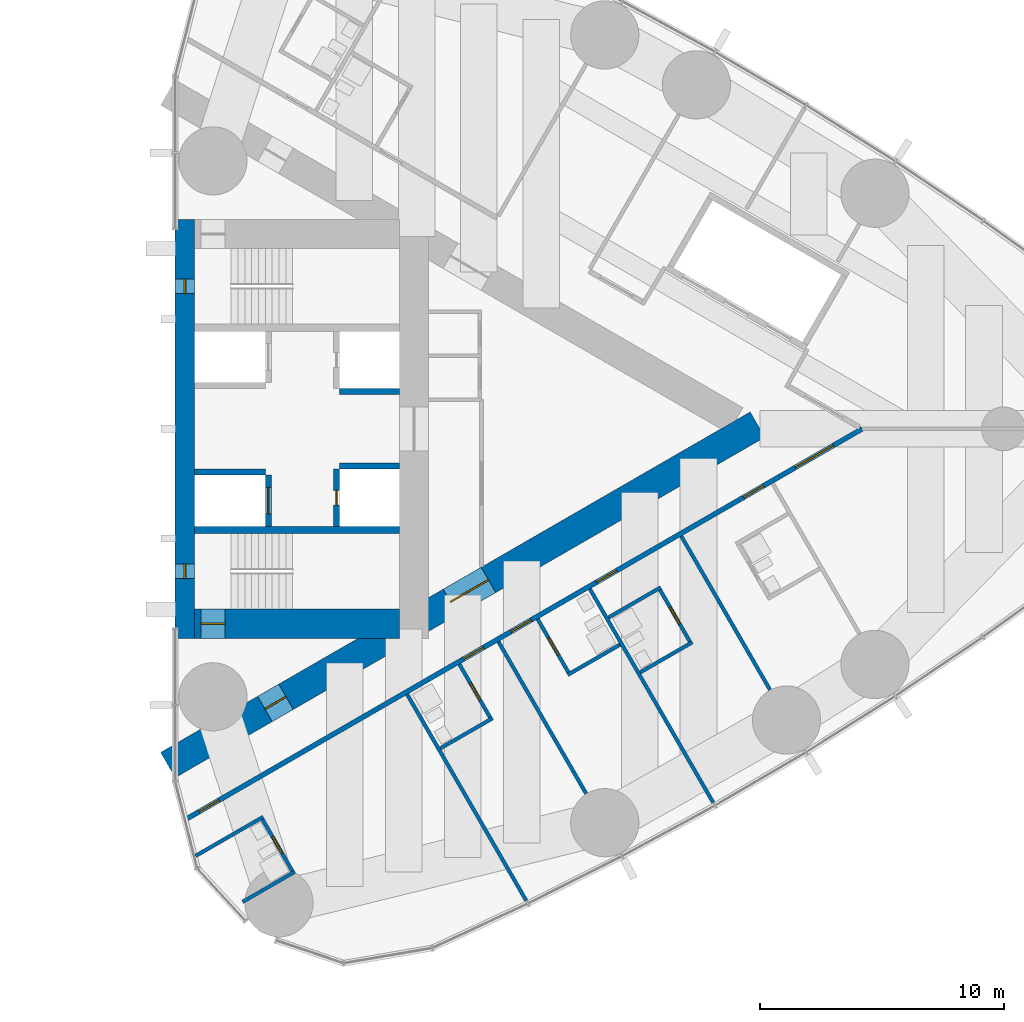
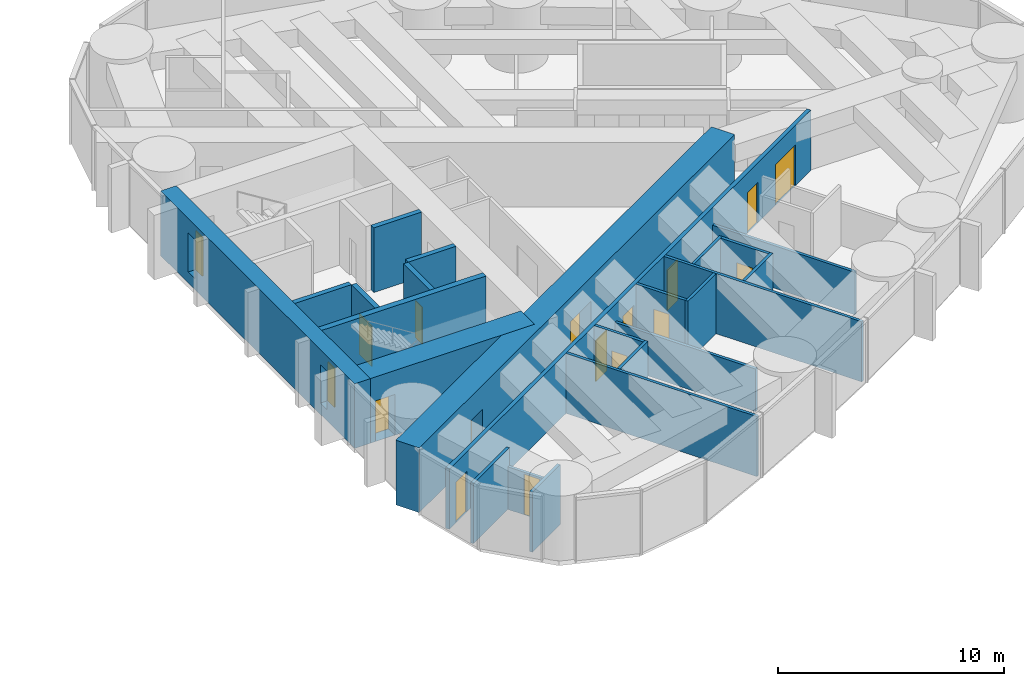
# One storey, part 14 of 19: 24 walls, 15 doors, 2 windows, 17 openings.
"""IFC4 building model written with IfcOpenShell, lengths in metres."""

from ifc_helpers import new_model, si_unit, direction, frame, frame_2d, origin, place, context, subcontext, project, spatial, rectangle, extrude, material, layer, layer_set, type_object, element, fill, save


model = new_model("IFC4")

# Units and contexts
model_context = context("Model", 3, precision=1e-05, world=origin(), true_north=direction((0.0, 1.0)))
body_context = subcontext(model_context, "Body", "Model", "MODEL_VIEW")
ifc_project = project(units=[si_unit("LENGTHUNIT", "METRE"), si_unit("AREAUNIT", "SQUARE_METRE"), si_unit("VOLUMEUNIT", "CUBIC_METRE"), si_unit("PLANEANGLEUNIT", "RADIAN"), si_unit("MASSUNIT", "GRAM", prefix="KILO")], contexts=[model_context])

# Site, building, storey
site_placement = place(None, origin())
site = spatial("IfcSite", under=ifc_project, at=site_placement, CompositionType="ELEMENT")
building_placement = place(site_placement, origin())
building = spatial("IfcBuilding", under=site, at=building_placement, Name="Lancet Gate Hotel", CompositionType="ELEMENT")
storey_placement = place(building_placement, frame((0.0, 0.0, 194.800048828125)))
storey = spatial("IfcBuildingStorey", under=building, at=storey_placement, Name="L52", CompositionType="ELEMENT", Elevation=194.800048828125)

# Wall
ifc_material_1 = material(Name="Moisture resistant board partition")
ifc_layer_1 = layer(ifc_material_1, 0.14990234375)
ifc_layer_set_1 = layer_set([ifc_layer_1], Name="Bathroom wall 150")
wall_type_1 = type_object("IfcWallType", Name="Bathroom wall 150", PredefinedType="PARTITIONING", material=ifc_layer_set_1)
wall_1_placement = place(storey_placement, frame((30.269287109375, -19.41796875, 0.0), z_axis=(0.0, 0.0, 1.0), x_axis=(0.866006523861, 0.500032699561, 0.0)))
element("IfcWall", 1, at=wall_1_placement, inside=storey, type_object=wall_type_1, Name="T2 bathroom wall 150 L52", PredefinedType="PARTITIONING", context=body_context, shape_type="SweptSolid", body=[
    extrude(rectangle(XDim=2.474853515625, YDim=0.14990234375, at=frame_2d((1.2373046875, 0.0))), origin(), (0.0, 0.0, 1.0), 3.25),
])

# Wall, opening, door
wall_2_placement = place(storey_placement, frame((31.0478515625, -15.96630859375, 0.0), z_axis=(0.0, 0.0, 1.0), x_axis=(0.499936506574, -0.866062058628, 0.0)))
wall_2 = element("IfcWall", 2, at=wall_2_placement, inside=storey, type_object=wall_type_1, Name="T2 bathroom wall 150 L52", PredefinedType="PARTITIONING", context=body_context, shape_type="SweptSolid", body=[
    extrude(rectangle(XDim=2.599853515625, YDim=0.14990234375, at=frame_2d((1.2998046875, 0.0))), origin(), (0.0, 0.0, 1.0), 2.300048828125),
])
opening_1_placement = place(wall_2_placement, frame((0.89990234375, 0.0, 0.0)))
opening_1 = element("IfcOpeningElement", 3, at=opening_1_placement, cuts=wall_2, Name="Opening 5251-B", PredefinedType="OPENING", context=body_context, shape_type="SweptSolid", body=[
    extrude(rectangle(XDim=0.800048828125, YDim=2.199951171875, at=frame_2d((0.39990234375, 1.10009765625))), frame((0.0, 0.0849609375, 0.0), z_axis=(0.0, -1.0, 0.0), x_axis=(1.0, 0.0, 0.0)), (0.0, 0.0, 1.0), 0.169921875),
])
ifc_material_2 = material(Name="Timber door set", Category="wood")
door_type_1 = type_object("IfcDoorType", Name="Bathroom door 800", OperationType="SINGLE_SWING_RIGHT", PredefinedType="DOOR", material=ifc_material_2)
door_1_placement = place(opening_1_placement, origin())
door_1 = element("IfcDoor", 4, at=door_1_placement, inside=storey, type_object=door_type_1, Name="5251-B", OperationType="SINGLE_SWING_RIGHT", OverallHeight=2.199951171875, OverallWidth=0.800048828125, PredefinedType="DOOR", context=body_context, shape_type="SweptSolid", body=[
    extrude(rectangle(XDim=0.800048828125, YDim=2.199951171875, at=frame_2d((0.39990234375, 1.10009765625))), frame((0.0, 0.02490234375, 0.0), z_axis=(0.0, -1.0, 0.0), x_axis=(1.0, 0.0, 0.0)), (0.0, 0.0, 1.0), 0.050048828125),
])
fill(opening_1, door_1)

# Walls
wall_3_placement = place(storey_placement, frame((28.34326171875, -17.52783203125, 0.0), z_axis=(0.0, 0.0, 1.0), x_axis=(0.86600760081, 0.500030834389, 0.0)))
element("IfcWall", 5, at=wall_3_placement, inside=storey, type_object=wall_type_1, Name="T2 bathroom wall 150 L52", PredefinedType="PARTITIONING", context=body_context, shape_type="SweptSolid", body=[
    extrude(rectangle(XDim=3.197998046875, YDim=0.14990234375, at=frame_2d((1.59912109375, 0.0))), origin(), (0.0, 0.0, 1.0), 3.25),
])
wall_4_placement = place(storey_placement, frame((38.386962890625, -13.114501953125, 0.0), z_axis=(0.0, 0.0, 1.0), x_axis=(0.866073894602, 0.499916002032, 0.0)))
element("IfcWall", 6, at=wall_4_placement, inside=storey, type_object=wall_type_1, Name="T2 bathroom wall 150 L52", PredefinedType="PARTITIONING", context=body_context, shape_type="SweptSolid", body=[
    extrude(rectangle(XDim=2.47509765625, YDim=0.14990234375, at=frame_2d((1.237548828125, 0.0))), origin(), (0.0, 0.0, 1.0), 3.25),
])

# Wall, opening, door
wall_5_placement = place(storey_placement, frame((39.16552734375, -9.662841796875, 0.0), z_axis=(0.0, 0.0, 1.0), x_axis=(0.500006934395, -0.866021400173, 0.0)))
wall_5 = element("IfcWall", 7, at=wall_5_placement, inside=storey, type_object=wall_type_1, Name="T2 bathroom wall 150 L52", PredefinedType="PARTITIONING", context=body_context, shape_type="SweptSolid", body=[
    extrude(rectangle(XDim=2.60009765625, YDim=0.14990234375, at=frame_2d((1.300048828125, 0.0))), origin(), (0.0, 0.0, 1.0), 3.25),
])
opening_2_placement = place(wall_5_placement, frame((0.89990234375, 0.0, 0.0)))
opening_2 = element("IfcOpeningElement", 8, at=opening_2_placement, cuts=wall_5, Name="Opening 5253-B", PredefinedType="OPENING", context=body_context, shape_type="SweptSolid", body=[
    extrude(rectangle(XDim=0.800048828125, YDim=2.199951171875, at=frame_2d((0.39990234375, 1.10009765625))), frame((0.0, 0.0849609375, 0.0), z_axis=(0.0, -1.0, 0.0), x_axis=(1.0, 0.0, 0.0)), (0.0, 0.0, 1.0), 0.169921875),
])
door_2_placement = place(opening_2_placement, origin())
door_2 = element("IfcDoor", 9, at=door_2_placement, inside=storey, type_object=door_type_1, Name="5253-B", OperationType="SINGLE_SWING_RIGHT", OverallHeight=2.199951171875, OverallWidth=0.800048828125, PredefinedType="DOOR", context=body_context, shape_type="SweptSolid", body=[
    extrude(rectangle(XDim=0.800048828125, YDim=2.199951171875, at=frame_2d((0.39990234375, 1.10009765625))), frame((0.0, 0.02490234375, 0.0), z_axis=(0.0, -1.0, 0.0), x_axis=(1.0, 0.0, 0.0)), (0.0, 0.0, 1.0), 0.050048828125),
])
fill(opening_2, door_2)

# Wall
wall_6_placement = place(storey_placement, frame((43.613037109375, -10.097412109375, 0.0), z_axis=(0.0, 0.0, 1.0), x_axis=(0.866031185235, 0.4999899861, 0.0)))
element("IfcWall", 10, at=wall_6_placement, inside=storey, type_object=wall_type_1, Name="T2 bathroom wall 150 L52", PredefinedType="PARTITIONING", context=body_context, shape_type="SweptSolid", body=[
    extrude(rectangle(XDim=2.47509765625, YDim=0.14990234375, at=frame_2d((1.237548828125, 0.0))), origin(), (0.0, 0.0, 1.0), 3.25),
])

# Wall, opening, door
wall_7_placement = place(storey_placement, frame((42.3779296875, -7.80810546875, 0.0), z_axis=(0.0, 0.0, 1.0), x_axis=(0.500006934395, -0.866021400173, 0.0)))
wall_7 = element("IfcWall", 11, at=wall_7_placement, inside=storey, type_object=wall_type_1, Name="T2 bathroom wall 150 L52", PredefinedType="PARTITIONING", context=body_context, shape_type="SweptSolid", body=[
    extrude(rectangle(XDim=2.60009765625, YDim=0.14990234375, at=frame_2d((1.300048828125, 0.0))), origin(), (0.0, 0.0, 1.0), 3.25),
])
opening_3_placement = place(wall_7_placement, frame((0.89990234375, 0.0, 0.0)))
opening_3 = element("IfcOpeningElement", 12, at=opening_3_placement, cuts=wall_7, Name="Opening 5254-B", PredefinedType="OPENING", context=body_context, shape_type="SweptSolid", body=[
    extrude(rectangle(XDim=0.800048828125, YDim=2.199951171875, at=frame_2d((0.39990234375, 1.10009765625))), frame((0.0, 0.0849609375, 0.0), z_axis=(0.0, -1.0, 0.0), x_axis=(1.0, 0.0, 0.0)), (0.0, 0.0, 1.0), 0.169921875),
])
door_3_placement = place(opening_3_placement, origin())
door_3 = element("IfcDoor", 13, at=door_3_placement, inside=storey, type_object=door_type_1, Name="5254-B", OperationType="SINGLE_SWING_RIGHT", OverallHeight=2.199951171875, OverallWidth=0.800048828125, PredefinedType="DOOR", context=body_context, shape_type="SweptSolid", body=[
    extrude(rectangle(XDim=0.800048828125, YDim=2.199951171875, at=frame_2d((0.39990234375, 1.10009765625))), frame((0.0, 0.02490234375, 0.0), z_axis=(0.0, -1.0, 0.0), x_axis=(1.0, 0.0, 0.0)), (0.0, 0.0, 1.0), 0.050048828125),
])
fill(opening_3, door_3)

# Wall
wall_8_placement = place(storey_placement, frame((46.58642578125, -9.997314453125, 0.0), z_axis=(0.0, 0.0, 1.0), x_axis=(0.866006523861, 0.500032699561, 0.0)))
element("IfcWall", 14, at=wall_8_placement, inside=storey, type_object=wall_type_1, Name="T2 bathroom wall 150 L52", PredefinedType="PARTITIONING", context=body_context, shape_type="SweptSolid", body=[
    extrude(rectangle(XDim=2.474853515625, YDim=0.14990234375, at=frame_2d((1.2373046875, 0.0))), origin(), (0.0, 0.0, 1.0), 3.25),
])

# Wall, opening, door
wall_9_placement = place(storey_placement, frame((47.36474609375, -6.545654296875, 0.0), z_axis=(0.0, 0.0, 1.0), x_axis=(0.500006934395, -0.866021400173, 0.0)))
wall_9 = element("IfcWall", 15, at=wall_9_placement, inside=storey, type_object=wall_type_1, Name="T2 bathroom wall 150 L52", PredefinedType="PARTITIONING", context=body_context, shape_type="SweptSolid", body=[
    extrude(rectangle(XDim=2.60009765625, YDim=0.14990234375, at=frame_2d((1.300048828125, 0.0))), origin(), (0.0, 0.0, 1.0), 3.25),
])
opening_4_placement = place(wall_9_placement, frame((0.89990234375, 0.0, 0.0)))
opening_4 = element("IfcOpeningElement", 16, at=opening_4_placement, cuts=wall_9, Name="Opening 5255-B", PredefinedType="OPENING", context=body_context, shape_type="SweptSolid", body=[
    extrude(rectangle(XDim=0.800048828125, YDim=2.199951171875, at=frame_2d((0.39990234375, 1.10009765625))), frame((0.0, 0.0849609375, 0.0), z_axis=(0.0, -1.0, 0.0), x_axis=(1.0, 0.0, 0.0)), (0.0, 0.0, 1.0), 0.169921875),
])
door_4_placement = place(opening_4_placement, origin())
door_4 = element("IfcDoor", 17, at=door_4_placement, inside=storey, type_object=door_type_1, Name="5255-B", OperationType="SINGLE_SWING_RIGHT", OverallHeight=2.199951171875, OverallWidth=0.800048828125, PredefinedType="DOOR", context=body_context, shape_type="SweptSolid", body=[
    extrude(rectangle(XDim=0.800048828125, YDim=2.199951171875, at=frame_2d((0.39990234375, 1.10009765625))), frame((0.0, 0.02490234375, 0.0), z_axis=(0.0, -1.0, 0.0), x_axis=(1.0, 0.0, 0.0)), (0.0, 0.0, 1.0), 0.050048828125),
])
fill(opening_4, door_4)

# Wall
wall_10_placement = place(storey_placement, frame((45.286376953125, -7.74560546875, 0.0), z_axis=(0.0, 0.0, 1.0), x_axis=(0.866006523861, 0.500032699561, 0.0)))
element("IfcWall", 18, at=wall_10_placement, inside=storey, type_object=wall_type_1, Name="T2 bathroom wall 150 L52", PredefinedType="PARTITIONING", context=body_context, shape_type="SweptSolid", body=[
    extrude(rectangle(XDim=2.474853515625, YDim=0.14990234375, at=frame_2d((1.2373046875, 0.0))), origin(), (0.0, 0.0, 1.0), 3.25),
])

# Wall, openings, doors
ifc_material_3 = material(Name="Concrete C70/85", Category="concrete")
ifc_layer_2 = layer(ifc_material_3, 1.199951171875)
ifc_layer_set_2 = layer_set([ifc_layer_2], Name="Buttress wall 1200")
wall_type_2 = type_object("IfcWallType", Name="Buttress wall 1200", PredefinedType="SHEAR", material=ifc_layer_set_2)
wall_11_placement = place(storey_placement, frame((27.199951171875, -13.800048828125, 0.0), z_axis=(0.0, 0.0, 1.0), x_axis=(0.866027159892, 0.499996958321, 0.0)))
wall_11 = element("IfcWall", 19, at=wall_11_placement, inside=storey, type_object=wall_type_2, Name="T2 buttress wall S L52", PredefinedType="SHEAR", context=body_context, shape_type="SweptSolid", body=[
    extrude(rectangle(XDim=27.946533203125, YDim=1.199951171875, at=frame_2d((13.97314453125, 0.0))), origin(), (0.0, 0.0, 1.0), 3.5),
])
opening_5_placement = place(wall_11_placement, frame((4.60009765625, 0.0, 0.0)))
opening_5 = element("IfcOpeningElement", 20, at=opening_5_placement, cuts=wall_11, Name="Opening T2-L52-LS", PredefinedType="OPENING", context=body_context, shape_type="SweptSolid", body=[
    extrude(rectangle(XDim=1.0, YDim=2.199951171875, at=frame_2d((0.5, 1.10009765625))), frame((0.0, 0.60986328125, 0.0), z_axis=(0.0, -1.0, 0.0), x_axis=(1.0, 0.0, 0.0)), (0.0, 0.0, 1.0), 1.219970703125),
])
opening_6_placement = place(wall_11_placement, frame((13.39453125, 0.0, 0.0)))
opening_6 = element("IfcOpeningElement", 21, at=opening_6_placement, cuts=wall_11, Name="Opening T2-L52-LHS", PredefinedType="OPENING", context=body_context, shape_type="SweptSolid", body=[
    extrude(rectangle(XDim=1.800048828125, YDim=2.199951171875, at=frame_2d((0.89990234375, 1.10009765625))), frame((0.0, 0.60986328125, 0.0), z_axis=(0.0, -1.0, 0.0), x_axis=(1.0, 0.0, 0.0)), (0.0, 0.0, 1.0), 1.219970703125),
])
ifc_material_4 = material(Name="Timber door set", Category="wood")
door_type_2 = type_object("IfcDoorType", Name="Lobby double door 1800", OperationType="DOUBLE_DOOR_SINGLE_SWING", PredefinedType="DOOR", material=ifc_material_4)
door_5_placement = place(opening_6_placement, origin())
door_5 = element("IfcDoor", 22, at=door_5_placement, inside=storey, type_object=door_type_2, Name="T2-L52-LHS", OperationType="DOUBLE_DOOR_SINGLE_SWING", OverallHeight=2.199951171875, OverallWidth=1.800048828125, PredefinedType="DOOR", context=body_context, shape_type="SweptSolid", body=[
    extrude(rectangle(XDim=1.800048828125, YDim=2.199951171875, at=frame_2d((0.89990234375, 1.10009765625))), frame((0.0, 0.02490234375, 0.0), z_axis=(0.0, -1.0, 0.0), x_axis=(1.0, 0.0, 0.0)), (0.0, 0.0, 1.0), 0.050048828125),
])
fill(opening_6, door_5)
ifc_material_5 = material(Name="Timber door set", Category="wood")
door_type_3 = type_object("IfcDoorType", Name="Stair lobby door 1000", OperationType="SINGLE_SWING_LEFT", PredefinedType="DOOR", material=ifc_material_5)
door_6_placement = place(opening_5_placement, origin())
door_6 = element("IfcDoor", 23, at=door_6_placement, inside=storey, type_object=door_type_3, Name="T2-L52-LS", OperationType="SINGLE_SWING_LEFT", OverallHeight=2.199951171875, OverallWidth=1.0, PredefinedType="DOOR", context=body_context, shape_type="SweptSolid", body=[
    extrude(rectangle(XDim=1.0, YDim=2.199951171875, at=frame_2d((0.5, 1.10009765625))), frame((0.0, 0.02490234375, 0.0), z_axis=(0.0, -1.0, 0.0), x_axis=(1.0, 0.0, 0.0)), (0.0, 0.0, 1.0), 0.050048828125),
])
fill(opening_5, door_6)

# Wall, opening, door
ifc_material_6 = material(Name="Concrete C70/85", Category="concrete")
ifc_layer_3 = layer(ifc_material_6, 1.199951171875)
ifc_layer_set_3 = layer_set([ifc_layer_3], Name="Core wall 1200")
wall_type_3 = type_object("IfcWallType", Name="Core wall 1200", PredefinedType="SHEAR", material=ifc_layer_set_3)
wall_12_placement = place(storey_placement, frame((28.300048828125, -8.0, 0.0), z_axis=(0.0, 0.0, 1.0), x_axis=(1.0, 0.0, 0.0)))
wall_12 = element("IfcWall", 24, at=wall_12_placement, inside=storey, type_object=wall_type_3, Name="T2 core wall side-S L52", PredefinedType="SHEAR", context=body_context, shape_type="SweptSolid", body=[
    extrude(rectangle(XDim=8.39990234375, YDim=1.199951171875, at=frame_2d((4.199951171875, 0.0))), origin(), (0.0, 0.0, 1.0), 3.5),
])
opening_7_placement = place(wall_12_placement, frame((0.25, 0.0, 0.0)))
opening_7 = element("IfcOpeningElement", 25, at=opening_7_placement, cuts=wall_12, Name="Opening T2-L52-ST1", PredefinedType="OPENING", context=body_context, shape_type="SweptSolid", body=[
    extrude(rectangle(XDim=1.0, YDim=2.199951171875, at=frame_2d((0.5, 1.10009765625))), frame((0.0, 0.60986328125, 0.0), z_axis=(0.0, -1.0, 0.0), x_axis=(1.0, 0.0, 0.0)), (0.0, 0.0, 1.0), 1.219970703125),
])
ifc_material_7 = material(Name="Timber door set", Category="wood")
door_type_4 = type_object("IfcDoorType", Name="Stair door 1000", OperationType="SINGLE_SWING_RIGHT", PredefinedType="DOOR", material=ifc_material_7)
door_7_placement = place(opening_7_placement, origin())
door_7 = element("IfcDoor", 26, at=door_7_placement, inside=storey, type_object=door_type_4, Name="T2-L52-ST1", OperationType="SINGLE_SWING_RIGHT", OverallHeight=2.199951171875, OverallWidth=1.0, PredefinedType="DOOR", context=body_context, shape_type="SweptSolid", body=[
    extrude(rectangle(XDim=1.0, YDim=2.199951171875, at=frame_2d((0.5, 1.10009765625))), frame((0.0, 0.02490234375, 0.0), z_axis=(0.0, -1.0, 0.0), x_axis=(1.0, 0.0, 0.0)), (0.0, 0.0, 1.0), 0.050048828125),
])
fill(opening_7, door_7)

# Wall, openings, windows
ifc_material_8 = material(Name="Concrete C70/85", Category="concrete")
ifc_layer_4 = layer(ifc_material_8, 0.800048828125)
ifc_layer_set_4 = layer_set([ifc_layer_4], Name="Core wall 800")
wall_type_4 = type_object("IfcWallType", Name="Core wall 800", PredefinedType="SHEAR", material=ifc_layer_set_4)
wall_13_placement = place(storey_placement, frame((27.89990234375, -8.60009765625, 0.0), z_axis=(0.0, 0.0, 1.0), x_axis=(0.0, 1.0, 0.0)))
wall_13 = element("IfcWall", 27, at=wall_13_placement, inside=storey, type_object=wall_type_4, Name="T2 core wall front L52", PredefinedType="SHEAR", context=body_context, shape_type="SweptSolid", body=[
    extrude(rectangle(XDim=17.2001953125, YDim=0.800048828125, at=frame_2d((8.60009765625, 0.0))), origin(), (0.0, 0.0, 1.0), 3.5),
])
opening_8_placement = place(wall_13_placement, frame((2.449951171875, 0.0, 0.60009765625)))
opening_8 = element("IfcOpeningElement", 28, at=opening_8_placement, cuts=wall_13, Name="Opening LW1", PredefinedType="OPENING", context=body_context, shape_type="SweptSolid", body=[
    extrude(rectangle(XDim=0.60009765625, YDim=2.10009765625, at=frame_2d((0.300048828125, 1.050048828125))), frame((0.0, 0.409912109375, 0.0), z_axis=(0.0, -1.0, 0.0), x_axis=(1.0, 0.0, 0.0)), (0.0, 0.0, 1.0), 0.820068359375),
])
opening_9_placement = place(wall_13_placement, frame((14.14990234375, 0.0, 0.60009765625)))
opening_9 = element("IfcOpeningElement", 29, at=opening_9_placement, cuts=wall_13, Name="Opening LW1", PredefinedType="OPENING", context=body_context, shape_type="SweptSolid", body=[
    extrude(rectangle(XDim=0.60009765625, YDim=2.10009765625, at=frame_2d((0.300048828125, 1.050048828125))), frame((0.0, 0.409912109375, 0.0), z_axis=(0.0, -1.0, 0.0), x_axis=(1.0, 0.0, 0.0)), (0.0, 0.0, 1.0), 0.820068359375),
])
ifc_material_9 = material(Name="Fire-resisting glazed steel window", Category="steel")
window_type = type_object("IfcWindowType", Name="Lancet window 600x2100", PartitioningType="SINGLE_PANEL", PredefinedType="WINDOW", material=ifc_material_9)
window_1_placement = place(opening_8_placement, origin())
window_1 = element("IfcWindow", 30, at=window_1_placement, inside=storey, type_object=window_type, Name="T2 stair window S L52", OverallHeight=2.10009765625, OverallWidth=0.60009765625, PartitioningType="SINGLE_PANEL", PredefinedType="WINDOW", context=body_context, shape_type="SweptSolid", body=[
    extrude(rectangle(XDim=0.60009765625, YDim=2.10009765625, at=frame_2d((0.300048828125, 1.050048828125))), frame((0.0, 0.030029296875, 0.0), z_axis=(0.0, -1.0, 0.0), x_axis=(1.0, 0.0, 0.0)), (0.0, 0.0, 1.0), 0.06005859375),
])
fill(opening_8, window_1)
window_2_placement = place(opening_9_placement, origin())
window_2 = element("IfcWindow", 31, at=window_2_placement, inside=storey, type_object=window_type, Name="T2 stair window N L52", OverallHeight=2.10009765625, OverallWidth=0.60009765625, PartitioningType="SINGLE_PANEL", PredefinedType="WINDOW", context=body_context, shape_type="SweptSolid", body=[
    extrude(rectangle(XDim=0.60009765625, YDim=2.10009765625, at=frame_2d((0.300048828125, 1.050048828125))), frame((0.0, 0.030029296875, 0.0), z_axis=(0.0, -1.0, 0.0), x_axis=(1.0, 0.0, 0.0)), (0.0, 0.0, 1.0), 0.06005859375),
])
fill(opening_9, window_2)

# Wall, openings, doors
ifc_material_10 = material(Name="Gypsum board partition")
ifc_layer_5 = layer(ifc_material_10, 0.199951171875)
ifc_layer_set_5 = layer_set([ifc_layer_5], Name="Corridor wall 200")
wall_type_5 = type_object("IfcWallType", Name="Corridor wall 200", PredefinedType="PARTITIONING", material=ifc_layer_set_5)
wall_14_placement = place(storey_placement, frame((27.95947265625, -16.017333984375, 0.0), z_axis=(0.0, 0.0, 1.0), x_axis=(0.866024151371, 0.500002169237, 0.0)))
wall_14 = element("IfcWall", 32, at=wall_14_placement, inside=storey, type_object=wall_type_5, Name="T2 corridor wall 200 L52", PredefinedType="PARTITIONING", context=body_context, shape_type="SweptSolid", body=[
    extrude(rectangle(XDim=32.034423828125, YDim=0.199951171875, at=frame_2d((16.01708984375, 0.0))), origin(), (0.0, 0.0, 1.0), 3.25),
])
opening_10_placement = place(wall_14_placement, frame((0.60009765625, 0.0, 0.0)))
opening_10 = element("IfcOpeningElement", 33, at=opening_10_placement, cuts=wall_14, Name="Opening 5251-E", PredefinedType="OPENING", context=body_context, shape_type="SweptSolid", body=[
    extrude(rectangle(XDim=0.949951171875, YDim=2.199951171875, at=frame_2d((0.47509765625, 1.10009765625))), frame((0.0, 0.10986328125, 0.0), z_axis=(0.0, -1.0, 0.0), x_axis=(1.0, 0.0, 0.0)), (0.0, 0.0, 1.0), 0.219970703125),
])
opening_11_placement = place(wall_14_placement, frame((13.1318359375, 0.0, 0.0)))
opening_11 = element("IfcOpeningElement", 34, at=opening_11_placement, cuts=wall_14, Name="Opening 5253-E", PredefinedType="OPENING", context=body_context, shape_type="SweptSolid", body=[
    extrude(rectangle(XDim=0.949951171875, YDim=2.199951171875, at=frame_2d((0.47509765625, 1.10009765625))), frame((0.0, 0.10986328125, 0.0), z_axis=(0.0, -1.0, 0.0), x_axis=(1.0, 0.0, 0.0)), (0.0, 0.0, 1.0), 0.219970703125),
])
opening_12_placement = place(wall_14_placement, frame((15.391357421875, 0.0, 0.0)))
opening_12 = element("IfcOpeningElement", 35, at=opening_12_placement, cuts=wall_14, Name="Opening 5254-E", PredefinedType="OPENING", context=body_context, shape_type="SweptSolid", body=[
    extrude(rectangle(XDim=0.949951171875, YDim=2.199951171875, at=frame_2d((0.47509765625, 1.10009765625))), frame((0.0, 0.10986328125, 0.0), z_axis=(0.0, -1.0, 0.0), x_axis=(1.0, 0.0, 0.0)), (0.0, 0.0, 1.0), 0.219970703125),
])
opening_13_placement = place(wall_14_placement, frame((19.44140625, 0.0, 0.0)))
opening_13 = element("IfcOpeningElement", 36, at=opening_13_placement, cuts=wall_14, Name="Opening 5255-E", PredefinedType="OPENING", context=body_context, shape_type="SweptSolid", body=[
    extrude(rectangle(XDim=0.949951171875, YDim=2.199951171875, at=frame_2d((0.47509765625, 1.10009765625))), frame((0.0, 0.10986328125, 0.0), z_axis=(0.0, -1.0, 0.0), x_axis=(1.0, 0.0, 0.0)), (0.0, 0.0, 1.0), 0.219970703125),
])
opening_14_placement = place(wall_14_placement, frame((26.406005859375, 0.0, 0.0)))
opening_14 = element("IfcOpeningElement", 37, at=opening_14_placement, cuts=wall_14, Name="Opening 5256-E", PredefinedType="OPENING", context=body_context, shape_type="SweptSolid", body=[
    extrude(rectangle(XDim=0.949951171875, YDim=2.199951171875, at=frame_2d((0.47509765625, 1.10009765625))), frame((0.0, 0.10986328125, 0.0), z_axis=(0.0, -1.0, 0.0), x_axis=(1.0, 0.0, 0.0)), (0.0, 0.0, 1.0), 0.219970703125),
])
opening_15_placement = place(wall_14_placement, frame((28.870361328125, 0.0, 0.0)))
opening_15 = element("IfcOpeningElement", 38, at=opening_15_placement, cuts=wall_14, Name="Opening 5257-E", PredefinedType="OPENING", context=body_context, shape_type="SweptSolid", body=[
    extrude(rectangle(XDim=1.800048828125, YDim=2.199951171875, at=frame_2d((0.89990234375, 1.10009765625))), frame((0.0, 0.10986328125, 0.0), z_axis=(0.0, -1.0, 0.0), x_axis=(1.0, 0.0, 0.0)), (0.0, 0.0, 1.0), 0.219970703125),
])
ifc_material_11 = material(Name="Timber door set", Category="wood")
door_type_5 = type_object("IfcDoorType", Name="Double door 1800", OperationType="DOUBLE_DOOR_SINGLE_SWING", PredefinedType="DOOR", material=ifc_material_11)
door_8_placement = place(opening_15_placement, origin())
door_8 = element("IfcDoor", 39, at=door_8_placement, inside=storey, type_object=door_type_5, Name="5257-E", OperationType="DOUBLE_DOOR_SINGLE_SWING", OverallHeight=2.199951171875, OverallWidth=1.800048828125, PredefinedType="DOOR", context=body_context, shape_type="SweptSolid", body=[
    extrude(rectangle(XDim=1.800048828125, YDim=2.199951171875, at=frame_2d((0.89990234375, 1.10009765625))), frame((0.0, 0.02490234375, 0.0), z_axis=(0.0, -1.0, 0.0), x_axis=(1.0, 0.0, 0.0)), (0.0, 0.0, 1.0), 0.050048828125),
])
fill(opening_15, door_8)
ifc_material_12 = material(Name="Timber door set", Category="wood")
door_type_6 = type_object("IfcDoorType", Name="Guest room entry door 950", OperationType="SINGLE_SWING_LEFT", PredefinedType="DOOR", material=ifc_material_12)
door_9_placement = place(opening_10_placement, origin())
door_9 = element("IfcDoor", 40, at=door_9_placement, inside=storey, type_object=door_type_6, Name="5251-E", OperationType="SINGLE_SWING_LEFT", OverallHeight=2.199951171875, OverallWidth=0.949951171875, PredefinedType="DOOR", context=body_context, shape_type="SweptSolid", body=[
    extrude(rectangle(XDim=0.949951171875, YDim=2.199951171875, at=frame_2d((0.47509765625, 1.10009765625))), frame((0.0, 0.02490234375, 0.0), z_axis=(0.0, -1.0, 0.0), x_axis=(1.0, 0.0, 0.0)), (0.0, 0.0, 1.0), 0.050048828125),
])
fill(opening_10, door_9)
door_10_placement = place(opening_11_placement, origin())
door_10 = element("IfcDoor", 41, at=door_10_placement, inside=storey, type_object=door_type_6, Name="5253-E", OperationType="SINGLE_SWING_LEFT", OverallHeight=2.199951171875, OverallWidth=0.949951171875, PredefinedType="DOOR", context=body_context, shape_type="SweptSolid", body=[
    extrude(rectangle(XDim=0.949951171875, YDim=2.199951171875, at=frame_2d((0.47509765625, 1.10009765625))), frame((0.0, 0.02490234375, 0.0), z_axis=(0.0, -1.0, 0.0), x_axis=(1.0, 0.0, 0.0)), (0.0, 0.0, 1.0), 0.050048828125),
])
fill(opening_11, door_10)
door_11_placement = place(opening_12_placement, origin())
door_11 = element("IfcDoor", 42, at=door_11_placement, inside=storey, type_object=door_type_6, Name="5254-E", OperationType="SINGLE_SWING_LEFT", OverallHeight=2.199951171875, OverallWidth=0.949951171875, PredefinedType="DOOR", context=body_context, shape_type="SweptSolid", body=[
    extrude(rectangle(XDim=0.949951171875, YDim=2.199951171875, at=frame_2d((0.47509765625, 1.10009765625))), frame((0.0, 0.02490234375, 0.0), z_axis=(0.0, -1.0, 0.0), x_axis=(1.0, 0.0, 0.0)), (0.0, 0.0, 1.0), 0.050048828125),
])
fill(opening_12, door_11)
door_12_placement = place(opening_13_placement, origin())
door_12 = element("IfcDoor", 43, at=door_12_placement, inside=storey, type_object=door_type_6, Name="5255-E", OperationType="SINGLE_SWING_LEFT", OverallHeight=2.199951171875, OverallWidth=0.949951171875, PredefinedType="DOOR", context=body_context, shape_type="SweptSolid", body=[
    extrude(rectangle(XDim=0.949951171875, YDim=2.199951171875, at=frame_2d((0.47509765625, 1.10009765625))), frame((0.0, 0.02490234375, 0.0), z_axis=(0.0, -1.0, 0.0), x_axis=(1.0, 0.0, 0.0)), (0.0, 0.0, 1.0), 0.050048828125),
])
fill(opening_13, door_12)
door_13_placement = place(opening_14_placement, origin())
door_13 = element("IfcDoor", 44, at=door_13_placement, inside=storey, type_object=door_type_6, Name="5256-E", OperationType="SINGLE_SWING_LEFT", OverallHeight=2.199951171875, OverallWidth=0.949951171875, PredefinedType="DOOR", context=body_context, shape_type="SweptSolid", body=[
    extrude(rectangle(XDim=0.949951171875, YDim=2.199951171875, at=frame_2d((0.47509765625, 1.10009765625))), frame((0.0, 0.02490234375, 0.0), z_axis=(0.0, -1.0, 0.0), x_axis=(1.0, 0.0, 0.0)), (0.0, 0.0, 1.0), 0.050048828125),
])
fill(opening_14, door_13)

# Wall, opening, door
ifc_material_13 = material(Name="Concrete C50/60", Category="concrete")
ifc_layer_6 = layer(ifc_material_13, 0.25)
ifc_layer_set_6 = layer_set([ifc_layer_6], Name="Lift shaft wall 250")
wall_type_6 = type_object("IfcWallType", Name="Lift shaft wall 250", PredefinedType="SHEAR", material=ifc_layer_set_6)
wall_15_placement = place(storey_placement, frame((31.324951171875, -4.0, 0.0), z_axis=(0.0, 0.0, 1.0), x_axis=(0.0, 1.0, 0.0)))
wall_15 = element("IfcWall", 45, at=wall_15_placement, inside=storey, type_object=wall_type_6, Name="T2 core wall row1-S L52", PredefinedType="SHEAR", context=body_context, shape_type="SweptSolid", body=[
    extrude(rectangle(XDim=2.10009765625, YDim=0.25, at=frame_2d((1.050048828125, 0.0))), origin(), (0.0, 0.0, 1.0), 3.5),
])
opening_16_placement = place(wall_15_placement, frame((0.5, 0.0, 0.0)))
opening_16 = element("IfcOpeningElement", 46, at=opening_16_placement, cuts=wall_15, Name="Opening T2-SL1-L52", PredefinedType="OPENING", context=body_context, shape_type="SweptSolid", body=[
    extrude(rectangle(XDim=1.10009765625, YDim=2.199951171875, at=frame_2d((0.550048828125, 1.10009765625))), frame((0.0, 0.135009765625, 0.0), z_axis=(0.0, -1.0, 0.0), x_axis=(1.0, 0.0, 0.0)), (0.0, 0.0, 1.0), 0.27001953125),
])
ifc_material_14 = material(Name="Timber door set", Category="wood")
door_type_7 = type_object("IfcDoorType", Name="Service lift landing door 1100", OperationType="SLIDING_TO_LEFT", PredefinedType="USERDEFINED", material=ifc_material_14)
door_14_placement = place(opening_16_placement, origin())
door_14 = element("IfcDoor", 47, at=door_14_placement, inside=storey, type_object=door_type_7, Name="T2-SL1-L52", ObjectType="LIFT LANDING DOOR", OperationType="SLIDING_TO_LEFT", OverallHeight=2.199951171875, OverallWidth=1.10009765625, PredefinedType="USERDEFINED", context=body_context, shape_type="SweptSolid", body=[
    extrude(rectangle(XDim=1.10009765625, YDim=2.199951171875, at=frame_2d((0.550048828125, 1.10009765625))), frame((0.0, 0.02490234375, 0.0), z_axis=(0.0, -1.0, 0.0), x_axis=(1.0, 0.0, 0.0)), (0.0, 0.0, 1.0), 0.050048828125),
])
fill(opening_16, door_14)

wall_16_placement = place(storey_placement, frame((34.125, -4.0, 0.0), z_axis=(0.0, 0.0, 1.0), x_axis=(0.0, 1.0, 0.0)))
wall_16 = element("IfcWall", 48, at=wall_16_placement, inside=storey, type_object=wall_type_6, Name="T2 core wall row2-S L52", PredefinedType="SHEAR", context=body_context, shape_type="SweptSolid", body=[
    extrude(rectangle(XDim=2.35009765625, YDim=0.25, at=frame_2d((1.175048828125, 0.0))), origin(), (0.0, 0.0, 1.0), 3.5),
])
opening_17_placement = place(wall_16_placement, frame((0.875, 0.0, 0.0)))
opening_17 = element("IfcOpeningElement", 49, at=opening_17_placement, cuts=wall_16, Name="Opening T2-OL3-L52-E", PredefinedType="OPENING", context=body_context, shape_type="SweptSolid", body=[
    extrude(rectangle(XDim=0.60009765625, YDim=2.0, at=frame_2d((0.300048828125, 1.0))), frame((0.0, 0.135009765625, 0.0), z_axis=(0.0, -1.0, 0.0), x_axis=(1.0, 0.0, 0.0)), (0.0, 0.0, 1.0), 0.27001953125),
])
ifc_material_15 = material(Name="Steel door set", Category="steel")
door_type_8 = type_object("IfcDoorType", Name="Lift shaft emergency door 600x2000", OperationType="SLIDING_TO_LEFT", PredefinedType="DOOR", material=ifc_material_15)
door_15_placement = place(opening_17_placement, origin())
door_15 = element("IfcDoor", 50, at=door_15_placement, inside=storey, type_object=door_type_8, Name="T2-OL3-L52-E", OperationType="SLIDING_TO_LEFT", OverallHeight=2.0, OverallWidth=0.60009765625, PredefinedType="DOOR", context=body_context, shape_type="SweptSolid", body=[
    extrude(rectangle(XDim=0.60009765625, YDim=2.0, at=frame_2d((0.300048828125, 1.0))), frame((0.0, 0.02490234375, 0.0), z_axis=(0.0, -1.0, 0.0), x_axis=(1.0, 0.0, 0.0)), (0.0, 0.0, 1.0), 0.050048828125),
])
fill(opening_17, door_15)

# Walls
wall_17_placement = place(storey_placement, frame((28.300048828125, -1.77490234375, 0.0), z_axis=(0.0, 0.0, 1.0), x_axis=(1.0, 0.0, 0.0)))
element("IfcWall", 51, at=wall_17_placement, inside=storey, type_object=wall_type_6, Name="T2 core wall pass1-S L52", PredefinedType="SHEAR", context=body_context, shape_type="SweptSolid", body=[
    extrude(rectangle(XDim=2.89990234375, YDim=0.25, at=frame_2d((1.449951171875, 0.0))), origin(), (0.0, 0.0, 1.0), 3.5),
])
for number, where, z_axis, x_axis, name in (
    (52, (34.25, -1.52490234375, 0.0), (0.0, 0.0, 1.0), (1.0, 0.0, 0.0), "T2 core wall pass2-S L52"),
    (53, (34.25, 1.52490234375, 0.0), (0.0, 0.0, 1.0), (1.0, 0.0, 0.0), "T2 core wall pass2-N L52"),
):
    element("IfcWall", number, at=place(storey_placement, frame(where, z_axis=z_axis, x_axis=x_axis)), inside=storey, type_object=wall_type_6, Name=name, PredefinedType="SHEAR", context=body_context, shape_type="SweptSolid", body=[
        extrude(rectangle(XDim=2.449951171875, YDim=0.25, at=frame_2d((1.22509765625, 0.0))), origin(), (0.0, 0.0, 1.0), 3.5),
    ])
ifc_material_16 = material(Name="Gypsum board partition")
ifc_layer_7 = layer(ifc_material_16, 0.14990234375)
ifc_layer_set_7 = layer_set([ifc_layer_7], Name="Party wall 150")
wall_type_7 = type_object("IfcWallType", Name="Party wall 150", PredefinedType="PARTITIONING", material=ifc_layer_set_7)
wall_18_placement = place(storey_placement, frame((37.022216796875, -10.900390625, 0.0), z_axis=(0.0, 0.0, 1.0), x_axis=(0.499998620953, -0.866026199976, 0.0)))
element("IfcWall", 54, at=wall_18_placement, inside=storey, type_object=wall_type_7, Name="T2 party wall 150 L52", PredefinedType="PARTITIONING", context=body_context, shape_type="SweptSolid", body=[
    extrude(rectangle(XDim=9.76953125, YDim=0.14990234375, at=frame_2d((4.884765625, 0.0))), origin(), (0.0, 0.0, 1.0), 3.25),
])
wall_19_placement = place(storey_placement, frame((40.769287109375, -8.737060546875, 0.0), z_axis=(0.0, 0.0, 1.0), x_axis=(0.500013115284, -0.866017831539, 0.0)))
element("IfcWall", 55, at=wall_19_placement, inside=storey, type_object=wall_type_7, Name="T2 party wall 150 L52", PredefinedType="PARTITIONING", context=body_context, shape_type="SweptSolid", body=[
    extrude(rectangle(XDim=7.197998046875, YDim=0.14990234375, at=frame_2d((3.59912109375, 0.0))), origin(), (0.0, 0.0, 1.0), 2.300048828125),
])
wall_20_placement = place(storey_placement, frame((44.521484375, -6.57080078125, 0.0), z_axis=(0.0, 0.0, 1.0), x_axis=(0.500010457486, -0.866019366068, 0.0)))
element("IfcWall", 56, at=wall_20_placement, inside=storey, type_object=wall_type_7, Name="T2 party wall 150 L52", PredefinedType="PARTITIONING", context=body_context, shape_type="SweptSolid", body=[
    extrude(rectangle(XDim=10.126220703125, YDim=0.14990234375, at=frame_2d((5.06298828125, 0.0))), origin(), (0.0, 0.0, 1.0), 3.25),
])
wall_21_placement = place(storey_placement, frame((48.274658203125, -4.40380859375, 0.0), z_axis=(0.0, 0.0, 1.0), x_axis=(0.500006004368, -0.866021937133, 0.0)))
element("IfcWall", 57, at=wall_21_placement, inside=storey, type_object=wall_type_7, Name="T2 party wall 150 L52", PredefinedType="PARTITIONING", context=body_context, shape_type="SweptSolid", body=[
    extrude(rectangle(XDim=7.279296875, YDim=0.14990234375, at=frame_2d((3.6396484375, 0.0))), origin(), (0.0, 0.0, 1.0), 2.300048828125),
])
ifc_material_17 = material(Name="Concrete C50/60", Category="concrete")
ifc_layer_8 = layer(ifc_material_17, 0.300048828125)
ifc_layer_set_8 = layer_set([ifc_layer_8], Name="Stair enclosure wall 300")
wall_type_8 = type_object("IfcWallType", Name="Stair enclosure wall 300", PredefinedType="SHEAR", material=ifc_layer_set_8)
wall_22_placement = place(storey_placement, frame((28.300048828125, -4.14990234375, 0.0), z_axis=(0.0, 0.0, 1.0), x_axis=(1.0, 0.0, 0.0)))
element("IfcWall", 58, at=wall_22_placement, inside=storey, type_object=wall_type_8, Name="T2 core wall stair-S L52", PredefinedType="SHEAR", context=body_context, shape_type="SweptSolid", body=[
    extrude(rectangle(XDim=8.39990234375, YDim=0.300048828125, at=frame_2d((4.199951171875, 0.0))), origin(), (0.0, 0.0, 1.0), 3.5),
])

save(model, "model.ifc")
